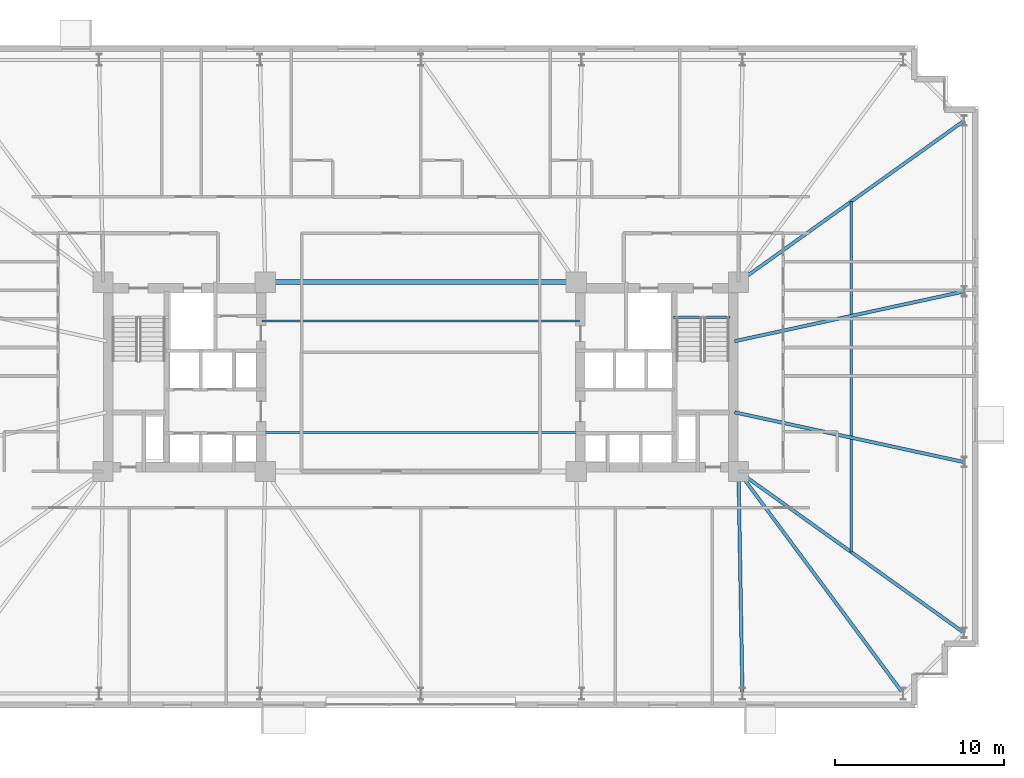
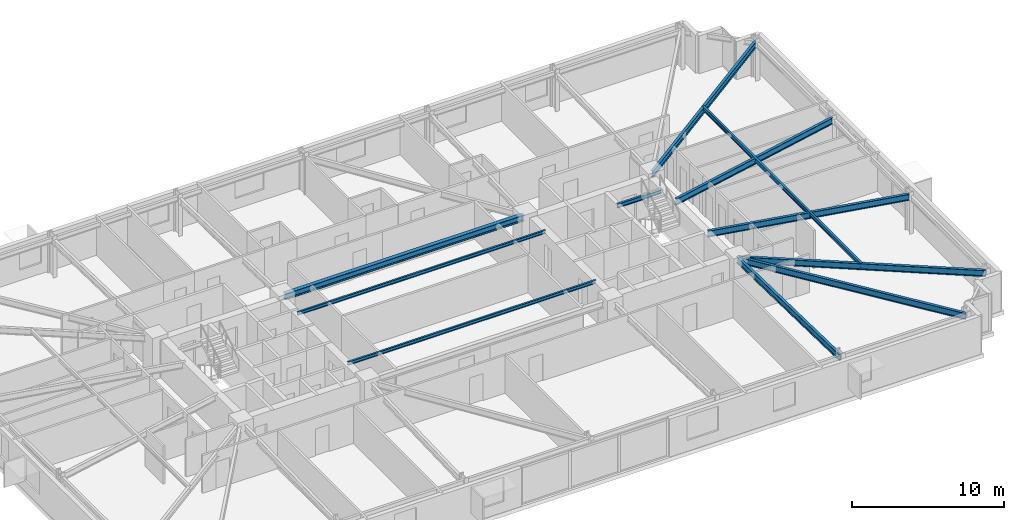
# One storey, part 11 of 24: 11 beams.
"""IFC4 building model written with IfcOpenShell, lengths in metres."""

from ifc_helpers import new_model, si_unit, direction, frame, origin, origin_2d, place, context, subcontext, project, spatial, i_section, extrude, material, material_profile, profile_set, type_object, element, save


model = new_model("IFC4")

# Units and contexts
model_context = context("Model", 3, precision=1e-05, world=origin(), true_north=direction((0.0, 1.0)))
body_context = subcontext(model_context, "Body", "Model", "MODEL_VIEW")
ifc_project = project(units=[si_unit("LENGTHUNIT", "METRE"), si_unit("AREAUNIT", "SQUARE_METRE"), si_unit("VOLUMEUNIT", "CUBIC_METRE"), si_unit("PLANEANGLEUNIT", "RADIAN"), si_unit("MASSUNIT", "GRAM", prefix="KILO")], contexts=[model_context])

# Site, building, storey
site_placement = place(None, origin())
site = spatial("IfcSite", under=ifc_project, at=site_placement, CompositionType="ELEMENT")
building_placement = place(site_placement, origin())
building = spatial("IfcBuilding", under=site, at=building_placement, Name="Qobustan Lattice House", CompositionType="ELEMENT")
storey_placement = place(building_placement, frame((0.0, 0.0, 43.75)))
storey = spatial("IfcBuildingStorey", under=building, at=storey_placement, Name="L11", CompositionType="ELEMENT", Elevation=43.75)

# Beams
ifc_material_1 = material(Name="Steel S355", Category="steel")
ifc_material_profile_1 = material_profile(ifc_material_1, i_section(OverallWidth=0.300048828125, OverallDepth=0.5, WebThickness=0.014404296875, FlangeThickness=0.028076171875, FilletRadius=0.027099609375, at=origin_2d()), Name="HEB500")
ifc_profile_set_1 = profile_set([ifc_material_profile_1], Name="Steel S355")
beam_type_1 = type_object("IfcBeamType", Name="BM-CG-HEB500", PredefinedType="USERDEFINED", material=ifc_profile_set_1)
beam_1_placement = place(storey_placement, frame((-9.050048828125, 5.60009765625, 2.784912109375), z_axis=(1.0, 0.0, 0.0), x_axis=(0.0, 1.0, 0.0)))
element("IfcBeam", 1, at=beam_1_placement, inside=storey, type_object=beam_type_1, Name="L11 core spine girder CG-CN", ObjectType="GIRDER", PredefinedType="USERDEFINED", context=body_context, shape_type="SweptSolid", body=[
    extrude(i_section(OverallWidth=0.300048828125, OverallDepth=0.5, WebThickness=0.014404296875, FlangeThickness=0.028076171875, FilletRadius=0.027099609375, at=origin_2d()), origin(), (0.0, 0.0, 1.0), 18.10009765625),
])
ifc_material_2 = material(Name="Steel S355", Category="steel")
ifc_material_profile_2 = material_profile(ifc_material_2, i_section(OverallWidth=0.199951171875, OverallDepth=0.5, WebThickness=0.01025390625, FlangeThickness=0.01611328125, FilletRadius=0.02099609375, at=origin_2d()), Name="IPE500")
ifc_profile_set_2 = profile_set([ifc_material_profile_2], Name="Steel S355")
beam_type_2 = type_object("IfcBeamType", Name="BM-FLG-IPE500", PredefinedType="USERDEFINED", material=ifc_profile_set_2)
beam_2_placement = place(storey_placement, frame((19.032958984375, -18.72509765625, 2.784912109375), z_axis=(-0.017757831607, 0.999842317276, 0.0), x_axis=(-0.999842317276, -0.017757831607, 0.0)))
element("IfcBeam", 2, at=beam_2_placement, inside=storey, type_object=beam_type_2, Name="L11 primary floor girder RAD-S6", ObjectType="GIRDER", PredefinedType="USERDEFINED", context=body_context, shape_type="SweptSolid", body=[
    extrude(i_section(OverallWidth=0.199951171875, OverallDepth=0.5, WebThickness=0.01025390625, FlangeThickness=0.01611328125, FilletRadius=0.02099609375, at=origin_2d()), origin(), (0.0, 0.0, 1.0), 13.10205078125),
])
beam_3_placement = place(storey_placement, frame((28.53515625, -18.72998046875, 2.784912109375), z_axis=(-0.5955916815, 0.803287338956, 0.0), x_axis=(-0.803287338956, -0.5955916815, 0.0)))
element("IfcBeam", 3, at=beam_3_placement, inside=storey, type_object=beam_type_2, Name="L11 primary floor girder RAD-S7E", ObjectType="GIRDER", PredefinedType="USERDEFINED", context=body_context, shape_type="SweptSolid", body=[
    extrude(i_section(OverallWidth=0.199951171875, OverallDepth=0.5, WebThickness=0.01025390625, FlangeThickness=0.01611328125, FilletRadius=0.02099609375, at=origin_2d()), origin(), (0.0, 0.0, 1.0), 16.3203125),
])
beam_4_placement = place(storey_placement, frame((32.129638671875, 15.135498046875, 2.784912109375), z_axis=(-0.813318954893, -0.581818079481, 0.0), x_axis=(0.581818079481, -0.813318954893, 0.0)))
element("IfcBeam", 4, at=beam_4_placement, inside=storey, type_object=beam_type_2, Name="L11 primary floor girder RAD-E4", ObjectType="GIRDER", PredefinedType="USERDEFINED", context=body_context, shape_type="SweptSolid", body=[
    extrude(i_section(OverallWidth=0.199951171875, OverallDepth=0.5, WebThickness=0.01025390625, FlangeThickness=0.01611328125, FilletRadius=0.02099609375, at=origin_2d()), origin(), (0.0, 0.0, 1.0), 16.3642578125),
])
for number, where, z_axis, x_axis, name in (
    (5, (32.12548828125, 5.044677734375, 2.784912109375), (-0.97727240275, -0.211987383643, 0.0), (0.211987383643, -0.97727240275, 0.0), "L11 primary floor girder RAD-E3"),
    (6, (32.12548828125, -5.044677734375, 2.784912109375), (-0.97727240275, 0.211987383643, 0.0), (-0.211987383643, -0.97727240275, 0.0), "L11 primary floor girder RAD-E2"),
):
    element("IfcBeam", number, at=place(storey_placement, frame(where, z_axis=z_axis, x_axis=x_axis)), inside=storey, type_object=beam_type_2, Name=name, ObjectType="GIRDER", PredefinedType="USERDEFINED", context=body_context, shape_type="SweptSolid", body=[
        extrude(i_section(OverallWidth=0.199951171875, OverallDepth=0.5, WebThickness=0.01025390625, FlangeThickness=0.01611328125, FilletRadius=0.02099609375, at=origin_2d()), origin(), (0.0, 0.0, 1.0), 13.8662109375),
    ])
beam_5_placement = place(storey_placement, frame((32.129638671875, -15.135498046875, 2.784912109375), z_axis=(-0.813318954893, 0.581818079481, 0.0), x_axis=(-0.581818079481, -0.813318954893, 0.0)))
element("IfcBeam", 7, at=beam_5_placement, inside=storey, type_object=beam_type_2, Name="L11 primary floor girder RAD-E1", ObjectType="GIRDER", PredefinedType="USERDEFINED", context=body_context, shape_type="SweptSolid", body=[
    extrude(i_section(OverallWidth=0.199951171875, OverallDepth=0.5, WebThickness=0.01025390625, FlangeThickness=0.01611328125, FilletRadius=0.02099609375, at=origin_2d()), origin(), (0.0, 0.0, 1.0), 16.3642578125),
])
ifc_material_3 = material(Name="Steel S355", Category="steel")
ifc_material_profile_3 = material_profile(ifc_material_3, i_section(OverallWidth=0.135009765625, OverallDepth=0.27001953125, WebThickness=0.006591796875, FlangeThickness=0.01025390625, FilletRadius=0.014892578125, at=origin_2d()), Name="IPE270")
ifc_profile_set_3 = profile_set([ifc_material_profile_3], Name="Steel S355")
beam_type_3 = type_object("IfcBeamType", Name="BM-JST-IPE270", PredefinedType="JOIST", material=ifc_profile_set_3)
for number, where, z_axis, x_axis, name in (
    (8, (-9.39990234375, -3.300048828125, 2.89990234375), (1.0, 0.0, 0.0), (0.0, 1.0, 0.0), "L11 central span floor joist 1"),
    (9, (-9.39990234375, 3.300048828125, 2.89990234375), (1.0, 0.0, 0.0), (0.0, 1.0, 0.0), "L11 central span floor joist 2"),
):
    element("IfcBeam", number, at=place(storey_placement, frame(where, z_axis=z_axis, x_axis=x_axis)), inside=storey, type_object=beam_type_3, Name=name, PredefinedType="JOIST", context=body_context, shape_type="SweptSolid", body=[
        extrude(i_section(OverallWidth=0.135009765625, OverallDepth=0.27001953125, WebThickness=0.006591796875, FlangeThickness=0.01025390625, FilletRadius=0.014892578125, at=origin_2d()), origin(), (0.0, 0.0, 1.0), 18.7998046875),
    ])
ifc_material_4 = material(Name="Steel S355", Category="steel")
ifc_material_profile_4 = material_profile(ifc_material_4, i_section(OverallWidth=0.159912109375, OverallDepth=0.330078125, WebThickness=0.007568359375, FlangeThickness=0.011474609375, FilletRadius=0.01806640625, at=origin_2d()), Name="IPE330")
ifc_profile_set_4 = profile_set([ifc_material_profile_4], Name="Steel S355")
beam_type_4 = type_object("IfcBeamType", Name="BM-SEC-IPE330", PredefinedType="BEAM", material=ifc_profile_set_4)
beam_6_placement = place(storey_placement, frame((25.47509765625, 10.375, 2.8701171875), z_axis=(0.0, -1.0, 0.0), x_axis=(1.0, 0.0, 0.0)))
element("IfcBeam", 10, at=beam_6_placement, inside=storey, type_object=beam_type_4, Name="L11 east wing secondary beam", PredefinedType="BEAM", context=body_context, shape_type="SweptSolid", body=[
    extrude(i_section(OverallWidth=0.159912109375, OverallDepth=0.330078125, WebThickness=0.007568359375, FlangeThickness=0.011474609375, FilletRadius=0.01806640625, at=origin_2d()), origin(), (0.0, 0.0, 1.0), 20.75),
])
ifc_material_5 = material(Name="Steel S355", Category="steel")
ifc_material_profile_5 = material_profile(ifc_material_5, i_section(OverallWidth=0.159912109375, OverallDepth=0.330078125, WebThickness=0.007568359375, FlangeThickness=0.011474609375, FilletRadius=0.01806640625, at=origin_2d()), Name="IPE330")
ifc_profile_set_5 = profile_set([ifc_material_profile_5], Name="Steel S355")
beam_type_5 = type_object("IfcBeamType", Name="BM-SPD-IPE330", PredefinedType="SPANDREL", material=ifc_profile_set_5)
beam_7_placement = place(storey_placement, frame((14.949951171875, 3.52001953125, 2.8701171875), z_axis=(1.0, 0.0, 0.0), x_axis=(0.0, 1.0, 0.0)))
element("IfcBeam", 11, at=beam_7_placement, inside=storey, type_object=beam_type_5, Name="L11 east stair landing trimmer beam", PredefinedType="SPANDREL", context=body_context, shape_type="SweptSolid", body=[
    extrude(i_section(OverallWidth=0.159912109375, OverallDepth=0.330078125, WebThickness=0.007568359375, FlangeThickness=0.011474609375, FilletRadius=0.01806640625, at=origin_2d()), origin(), (0.0, 0.0, 1.0), 3.35009765625),
])

save(model, "model.ifc")
